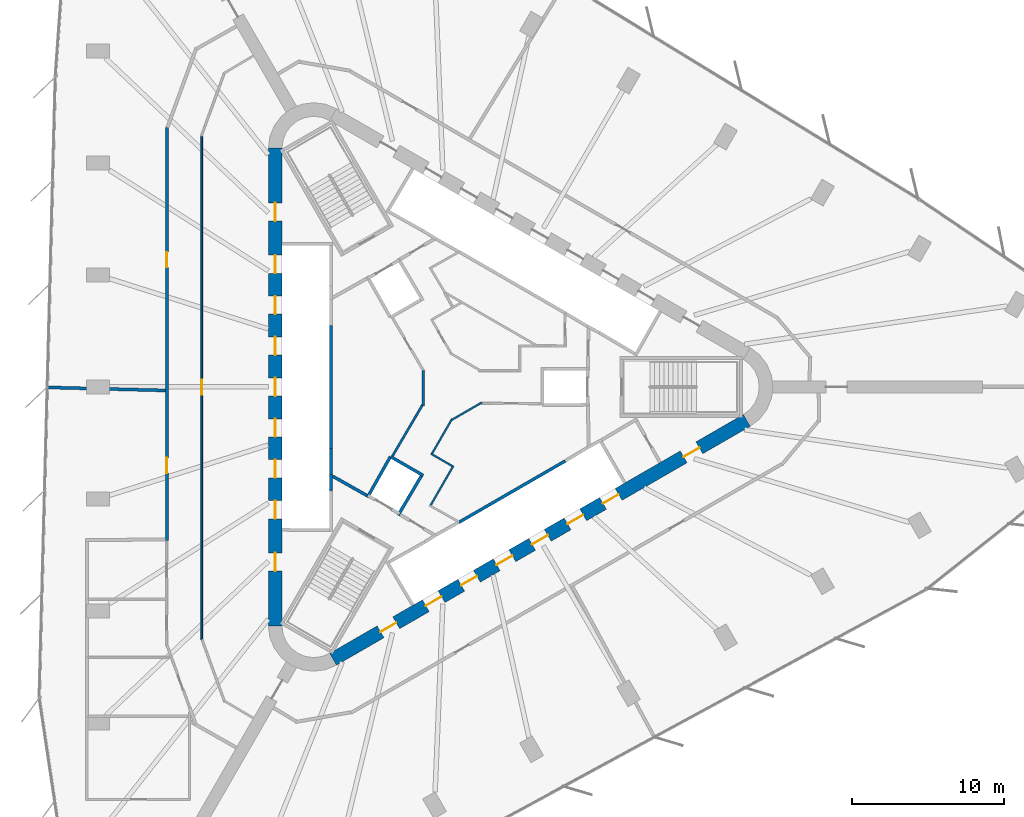
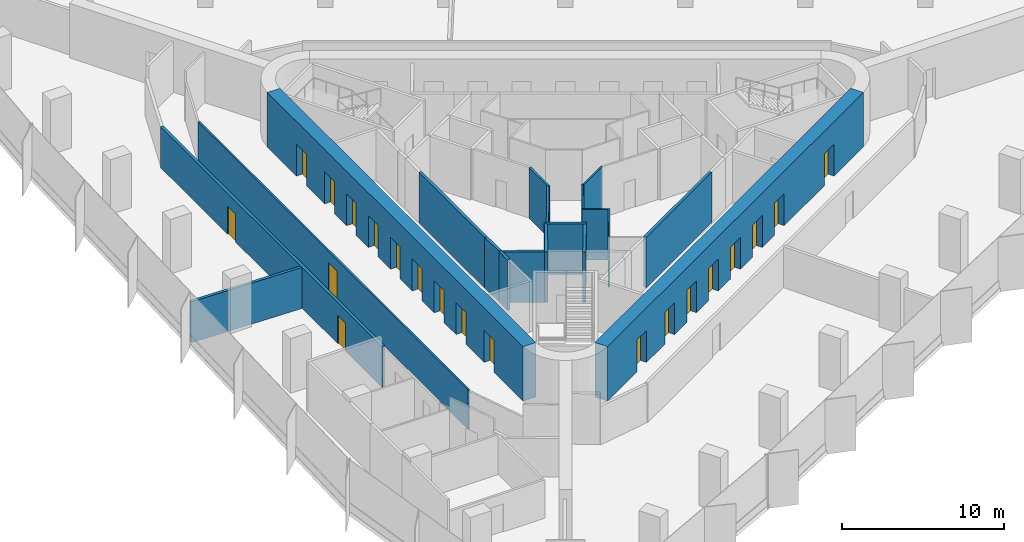
# One storey, part 9 of 13: 20 doors, 19 walls, 20 openings.
"""IFC4 building model written with IfcOpenShell, lengths in metres."""

from ifc_helpers import new_model, si_unit, direction, frame, frame_2d, origin, place, context, subcontext, project, spatial, rectangle, extrude, material, layer, layer_set, type_object, element, fill, save


model = new_model("IFC4")

# Units and contexts
model_context = context("Model", 3, precision=1e-05, world=origin(), true_north=direction((0.0, 1.0)))
body_context = subcontext(model_context, "Body", "Model", "MODEL_VIEW")
ifc_project = project(units=[si_unit("LENGTHUNIT", "METRE"), si_unit("AREAUNIT", "SQUARE_METRE"), si_unit("VOLUMEUNIT", "CUBIC_METRE"), si_unit("PLANEANGLEUNIT", "RADIAN"), si_unit("MASSUNIT", "GRAM", prefix="KILO")], contexts=[model_context])

# Site, building, storey
site_placement = place(None, origin())
site = spatial("IfcSite", under=ifc_project, at=site_placement, CompositionType="ELEMENT")
building_placement = place(site_placement, origin())
building = spatial("IfcBuilding", under=site, at=building_placement, Name="Tanit Gate Tower", CompositionType="ELEMENT")
storey_placement = place(building_placement, frame((0.0, 0.0, 61.89990234375)))
storey = spatial("IfcBuildingStorey", under=building, at=storey_placement, Name="L11", CompositionType="ELEMENT", Elevation=61.89990234375)

# Wall, openings, doors
ifc_material_1 = material(Name="Concrete C60/75", Category="concrete")
ifc_layer_1 = layer(ifc_material_1, 0.89990234375)
ifc_layer_set_1 = layer_set([ifc_layer_1], Name="CORE WALL 900 C60/75")
wall_type_1 = type_object("IfcWallType", Name="CORE WALL 900 C60/75", PredefinedType="SHEAR", material=ifc_layer_set_1)
wall_1_placement = place(storey_placement, frame((-11.64990234375, 15.76171875, 0.0), z_axis=(0.0, 0.0, 1.0), x_axis=(0.0, -1.0, 0.0)))
wall_1 = element("IfcWall", 1, at=wall_1_placement, inside=storey, type_object=wall_type_1, Name="CORE WALL", PredefinedType="SHEAR", context=body_context, shape_type="SweptSolid", body=[
    extrude(rectangle(XDim=31.5234375, YDim=0.89990234375, at=frame_2d((15.76171875, 0.0))), origin(), (0.0, 0.0, 1.0), 4.10009765625),
])
opening_1_placement = place(wall_1_placement, frame((7.061767578125, 0.0, 0.0)))
opening_1 = element("IfcOpeningElement", 2, at=opening_1_placement, cuts=wall_1, Name="Opening LDLL1-S01", PredefinedType="OPENING", context=body_context, shape_type="SweptSolid", body=[
    extrude(rectangle(XDim=1.199951171875, YDim=2.39990234375, at=frame_2d((0.60009765625, 1.199951171875))), frame((0.0, 0.4599609375, 0.0), z_axis=(0.0, -1.0, 0.0), x_axis=(1.0, 0.0, 0.0)), (0.0, 0.0, 1.0), 0.919921875),
])
opening_2_placement = place(wall_1_placement, frame((9.76171875, 0.0, 0.0)))
opening_2 = element("IfcOpeningElement", 3, at=opening_2_placement, cuts=wall_1, Name="Opening LDLL2-S01", PredefinedType="OPENING", context=body_context, shape_type="SweptSolid", body=[
    extrude(rectangle(XDim=1.199951171875, YDim=2.39990234375, at=frame_2d((0.60009765625, 1.199951171875))), frame((0.0, 0.4599609375, 0.0), z_axis=(0.0, -1.0, 0.0), x_axis=(1.0, 0.0, 0.0)), (0.0, 0.0, 1.0), 0.919921875),
])
opening_3_placement = place(wall_1_placement, frame((12.461669921875, 0.0, 0.0)))
opening_3 = element("IfcOpeningElement", 4, at=opening_3_placement, cuts=wall_1, Name="Opening LDLL3-S01", PredefinedType="OPENING", context=body_context, shape_type="SweptSolid", body=[
    extrude(rectangle(XDim=1.199951171875, YDim=2.39990234375, at=frame_2d((0.60009765625, 1.199951171875))), frame((0.0, 0.4599609375, 0.0), z_axis=(0.0, -1.0, 0.0), x_axis=(1.0, 0.0, 0.0)), (0.0, 0.0, 1.0), 0.919921875),
])
opening_4_placement = place(wall_1_placement, frame((15.16162109375, 0.0, 0.0)))
opening_4 = element("IfcOpeningElement", 5, at=opening_4_placement, cuts=wall_1, Name="Opening LDLL4-S01", PredefinedType="OPENING", context=body_context, shape_type="SweptSolid", body=[
    extrude(rectangle(XDim=1.199951171875, YDim=2.39990234375, at=frame_2d((0.60009765625, 1.199951171875))), frame((0.0, 0.4599609375, 0.0), z_axis=(0.0, -1.0, 0.0), x_axis=(1.0, 0.0, 0.0)), (0.0, 0.0, 1.0), 0.919921875),
])
opening_5_placement = place(wall_1_placement, frame((17.86181640625, 0.0, 0.0)))
opening_5 = element("IfcOpeningElement", 6, at=opening_5_placement, cuts=wall_1, Name="Opening LDLL5-S01", PredefinedType="OPENING", context=body_context, shape_type="SweptSolid", body=[
    extrude(rectangle(XDim=1.199951171875, YDim=2.39990234375, at=frame_2d((0.60009765625, 1.199951171875))), frame((0.0, 0.4599609375, 0.0), z_axis=(0.0, -1.0, 0.0), x_axis=(1.0, 0.0, 0.0)), (0.0, 0.0, 1.0), 0.919921875),
])
opening_6_placement = place(wall_1_placement, frame((20.561767578125, 0.0, 0.0)))
opening_6 = element("IfcOpeningElement", 7, at=opening_6_placement, cuts=wall_1, Name="Opening LDLL6-S01", PredefinedType="OPENING", context=body_context, shape_type="SweptSolid", body=[
    extrude(rectangle(XDim=1.199951171875, YDim=2.39990234375, at=frame_2d((0.60009765625, 1.199951171875))), frame((0.0, 0.4599609375, 0.0), z_axis=(0.0, -1.0, 0.0), x_axis=(1.0, 0.0, 0.0)), (0.0, 0.0, 1.0), 0.919921875),
])
opening_7_placement = place(wall_1_placement, frame((23.26171875, 0.0, 0.0)))
opening_7 = element("IfcOpeningElement", 8, at=opening_7_placement, cuts=wall_1, Name="Opening LDLL7-S01", PredefinedType="OPENING", context=body_context, shape_type="SweptSolid", body=[
    extrude(rectangle(XDim=1.199951171875, YDim=2.39990234375, at=frame_2d((0.60009765625, 1.199951171875))), frame((0.0, 0.4599609375, 0.0), z_axis=(0.0, -1.0, 0.0), x_axis=(1.0, 0.0, 0.0)), (0.0, 0.0, 1.0), 0.919921875),
])
opening_8_placement = place(wall_1_placement, frame((3.61181640625, 0.0, 0.0)))
opening_8 = element("IfcOpeningElement", 9, at=opening_8_placement, cuts=wall_1, Name="Opening F12-S01-FL2", PredefinedType="OPENING", context=body_context, shape_type="SweptSolid", body=[
    extrude(rectangle(XDim=1.199951171875, YDim=2.39990234375, at=frame_2d((0.60009765625, 1.199951171875))), frame((0.0, 0.4599609375, 0.0), z_axis=(0.0, -1.0, 0.0), x_axis=(1.0, 0.0, 0.0)), (0.0, 0.0, 1.0), 0.919921875),
])
opening_9_placement = place(wall_1_placement, frame((26.711669921875, 0.0, 0.0)))
opening_9 = element("IfcOpeningElement", 10, at=opening_9_placement, cuts=wall_1, Name="Opening F12-S01-S3", PredefinedType="OPENING", context=body_context, shape_type="SweptSolid", body=[
    extrude(rectangle(XDim=1.199951171875, YDim=2.39990234375, at=frame_2d((0.60009765625, 1.199951171875))), frame((0.0, 0.4599609375, 0.0), z_axis=(0.0, -1.0, 0.0), x_axis=(1.0, 0.0, 0.0)), (0.0, 0.0, 1.0), 0.919921875),
])
ifc_material_2 = material(Name="Fire-rated steel door leaf", Category="steel")
door_type_1 = type_object("IfcDoorType", Name="INT-DOOR-FIRE-LOBBY-1200", OperationType="NOTDEFINED", PredefinedType="USERDEFINED", material=ifc_material_2)
door_1_placement = place(opening_8_placement, origin())
door_1 = element("IfcDoor", 11, at=door_1_placement, inside=storey, type_object=door_type_1, Name="Door F12-S01-FL2", ObjectType="FIRE DOOR", OperationType="SINGLE_SWING_LEFT", OverallHeight=2.39990234375, OverallWidth=1.199951171875, PredefinedType="USERDEFINED", context=body_context, shape_type="SweptSolid", body=[
    extrude(rectangle(XDim=1.199951171875, YDim=2.39990234375, at=frame_2d((0.60009765625, 1.199951171875))), frame((0.0, 0.02490234375, 0.0), z_axis=(0.0, -1.0, 0.0), x_axis=(1.0, 0.0, 0.0)), (0.0, 0.0, 1.0), 0.050048828125),
])
fill(opening_8, door_1)
door_2_placement = place(opening_9_placement, origin())
door_2 = element("IfcDoor", 12, at=door_2_placement, inside=storey, type_object=door_type_1, Name="Door F12-S01-S3", ObjectType="FIRE DOOR", OperationType="SINGLE_SWING_LEFT", OverallHeight=2.39990234375, OverallWidth=1.199951171875, PredefinedType="USERDEFINED", context=body_context, shape_type="SweptSolid", body=[
    extrude(rectangle(XDim=1.199951171875, YDim=2.39990234375, at=frame_2d((0.60009765625, 1.199951171875))), frame((0.0, 0.02490234375, 0.0), z_axis=(0.0, -1.0, 0.0), x_axis=(1.0, 0.0, 0.0)), (0.0, 0.0, 1.0), 0.050048828125),
])
fill(opening_9, door_2)
ifc_material_3 = material(Name="Stainless steel sliding door leaf", Category="steel")
door_type_2 = type_object("IfcDoorType", Name="INT-DOOR-LANDING-1200", OperationType="NOTDEFINED", PredefinedType="USERDEFINED", material=ifc_material_3)
door_3_placement = place(opening_1_placement, origin())
door_3 = element("IfcDoor", 13, at=door_3_placement, inside=storey, type_object=door_type_2, Name="Door LDLL1-S01", ObjectType="LANDING DOOR", OperationType="SLIDING_TO_LEFT", OverallHeight=2.39990234375, OverallWidth=1.199951171875, PredefinedType="USERDEFINED", context=body_context, shape_type="SweptSolid", body=[
    extrude(rectangle(XDim=1.199951171875, YDim=2.39990234375, at=frame_2d((0.60009765625, 1.199951171875))), frame((0.0, 0.02490234375, 0.0), z_axis=(0.0, -1.0, 0.0), x_axis=(1.0, 0.0, 0.0)), (0.0, 0.0, 1.0), 0.050048828125),
])
fill(opening_1, door_3)
door_4_placement = place(opening_2_placement, origin())
door_4 = element("IfcDoor", 14, at=door_4_placement, inside=storey, type_object=door_type_2, Name="Door LDLL2-S01", ObjectType="LANDING DOOR", OperationType="SLIDING_TO_LEFT", OverallHeight=2.39990234375, OverallWidth=1.199951171875, PredefinedType="USERDEFINED", context=body_context, shape_type="SweptSolid", body=[
    extrude(rectangle(XDim=1.199951171875, YDim=2.39990234375, at=frame_2d((0.60009765625, 1.199951171875))), frame((0.0, 0.02490234375, 0.0), z_axis=(0.0, -1.0, 0.0), x_axis=(1.0, 0.0, 0.0)), (0.0, 0.0, 1.0), 0.050048828125),
])
fill(opening_2, door_4)
door_5_placement = place(opening_3_placement, origin())
door_5 = element("IfcDoor", 15, at=door_5_placement, inside=storey, type_object=door_type_2, Name="Door LDLL3-S01", ObjectType="LANDING DOOR", OperationType="SLIDING_TO_LEFT", OverallHeight=2.39990234375, OverallWidth=1.199951171875, PredefinedType="USERDEFINED", context=body_context, shape_type="SweptSolid", body=[
    extrude(rectangle(XDim=1.199951171875, YDim=2.39990234375, at=frame_2d((0.60009765625, 1.199951171875))), frame((0.0, 0.02490234375, 0.0), z_axis=(0.0, -1.0, 0.0), x_axis=(1.0, 0.0, 0.0)), (0.0, 0.0, 1.0), 0.050048828125),
])
fill(opening_3, door_5)
door_6_placement = place(opening_4_placement, origin())
door_6 = element("IfcDoor", 16, at=door_6_placement, inside=storey, type_object=door_type_2, Name="Door LDLL4-S01", ObjectType="LANDING DOOR", OperationType="SLIDING_TO_LEFT", OverallHeight=2.39990234375, OverallWidth=1.199951171875, PredefinedType="USERDEFINED", context=body_context, shape_type="SweptSolid", body=[
    extrude(rectangle(XDim=1.199951171875, YDim=2.39990234375, at=frame_2d((0.60009765625, 1.199951171875))), frame((0.0, 0.02490234375, 0.0), z_axis=(0.0, -1.0, 0.0), x_axis=(1.0, 0.0, 0.0)), (0.0, 0.0, 1.0), 0.050048828125),
])
fill(opening_4, door_6)
door_7_placement = place(opening_5_placement, origin())
door_7 = element("IfcDoor", 17, at=door_7_placement, inside=storey, type_object=door_type_2, Name="Door LDLL5-S01", ObjectType="LANDING DOOR", OperationType="SLIDING_TO_LEFT", OverallHeight=2.39990234375, OverallWidth=1.199951171875, PredefinedType="USERDEFINED", context=body_context, shape_type="SweptSolid", body=[
    extrude(rectangle(XDim=1.199951171875, YDim=2.39990234375, at=frame_2d((0.60009765625, 1.199951171875))), frame((0.0, 0.02490234375, 0.0), z_axis=(0.0, -1.0, 0.0), x_axis=(1.0, 0.0, 0.0)), (0.0, 0.0, 1.0), 0.050048828125),
])
fill(opening_5, door_7)
door_8_placement = place(opening_6_placement, origin())
door_8 = element("IfcDoor", 18, at=door_8_placement, inside=storey, type_object=door_type_2, Name="Door LDLL6-S01", ObjectType="LANDING DOOR", OperationType="SLIDING_TO_LEFT", OverallHeight=2.39990234375, OverallWidth=1.199951171875, PredefinedType="USERDEFINED", context=body_context, shape_type="SweptSolid", body=[
    extrude(rectangle(XDim=1.199951171875, YDim=2.39990234375, at=frame_2d((0.60009765625, 1.199951171875))), frame((0.0, 0.02490234375, 0.0), z_axis=(0.0, -1.0, 0.0), x_axis=(1.0, 0.0, 0.0)), (0.0, 0.0, 1.0), 0.050048828125),
])
fill(opening_6, door_8)
door_9_placement = place(opening_7_placement, origin())
door_9 = element("IfcDoor", 19, at=door_9_placement, inside=storey, type_object=door_type_2, Name="Door LDLL7-S01", ObjectType="LANDING DOOR", OperationType="SLIDING_TO_LEFT", OverallHeight=2.39990234375, OverallWidth=1.199951171875, PredefinedType="USERDEFINED", context=body_context, shape_type="SweptSolid", body=[
    extrude(rectangle(XDim=1.199951171875, YDim=2.39990234375, at=frame_2d((0.60009765625, 1.199951171875))), frame((0.0, 0.02490234375, 0.0), z_axis=(0.0, -1.0, 0.0), x_axis=(1.0, 0.0, 0.0)), (0.0, 0.0, 1.0), 0.050048828125),
])
fill(opening_7, door_9)

wall_2_placement = place(storey_placement, frame((-7.824951171875, -17.969970703125, 0.0), z_axis=(0.0, 0.0, 1.0), x_axis=(0.866028369851, 0.499994862586, 0.0)))
wall_2 = element("IfcWall", 20, at=wall_2_placement, inside=storey, type_object=wall_type_1, Name="CORE WALL", PredefinedType="SHEAR", context=body_context, shape_type="SweptSolid", body=[
    extrude(rectangle(XDim=31.523193359375, YDim=0.89990234375, at=frame_2d((15.76171875, 0.0))), origin(), (0.0, 0.0, 1.0), 4.10009765625),
])
opening_10_placement = place(wall_2_placement, frame((7.061767578125, 0.0, 0.0)))
opening_10 = element("IfcOpeningElement", 21, at=opening_10_placement, cuts=wall_2, Name="Opening LDSX1-S01", PredefinedType="OPENING", context=body_context, shape_type="SweptSolid", body=[
    extrude(rectangle(XDim=1.199951171875, YDim=2.39990234375, at=frame_2d((0.60009765625, 1.199951171875))), frame((0.0, 0.4599609375, 0.0), z_axis=(0.0, -1.0, 0.0), x_axis=(1.0, 0.0, 0.0)), (0.0, 0.0, 1.0), 0.919921875),
])
opening_11_placement = place(wall_2_placement, frame((9.76171875, 0.0, 0.0)))
opening_11 = element("IfcOpeningElement", 22, at=opening_11_placement, cuts=wall_2, Name="Opening LDSX2-S01", PredefinedType="OPENING", context=body_context, shape_type="SweptSolid", body=[
    extrude(rectangle(XDim=1.199951171875, YDim=2.39990234375, at=frame_2d((0.60009765625, 1.199951171875))), frame((0.0, 0.4599609375, 0.0), z_axis=(0.0, -1.0, 0.0), x_axis=(1.0, 0.0, 0.0)), (0.0, 0.0, 1.0), 0.919921875),
])
opening_12_placement = place(wall_2_placement, frame((12.461669921875, 0.0, 0.0)))
opening_12 = element("IfcOpeningElement", 23, at=opening_12_placement, cuts=wall_2, Name="Opening LDSX3-S01", PredefinedType="OPENING", context=body_context, shape_type="SweptSolid", body=[
    extrude(rectangle(XDim=1.199951171875, YDim=2.39990234375, at=frame_2d((0.60009765625, 1.199951171875))), frame((0.0, 0.4599609375, 0.0), z_axis=(0.0, -1.0, 0.0), x_axis=(1.0, 0.0, 0.0)), (0.0, 0.0, 1.0), 0.919921875),
])
opening_13_placement = place(wall_2_placement, frame((15.16162109375, 0.0, 0.0)))
opening_13 = element("IfcOpeningElement", 24, at=opening_13_placement, cuts=wall_2, Name="Opening LDSX4-S01", PredefinedType="OPENING", context=body_context, shape_type="SweptSolid", body=[
    extrude(rectangle(XDim=1.199951171875, YDim=2.39990234375, at=frame_2d((0.60009765625, 1.199951171875))), frame((0.0, 0.4599609375, 0.0), z_axis=(0.0, -1.0, 0.0), x_axis=(1.0, 0.0, 0.0)), (0.0, 0.0, 1.0), 0.919921875),
])
opening_14_placement = place(wall_2_placement, frame((17.861572265625, 0.0, 0.0)))
opening_14 = element("IfcOpeningElement", 25, at=opening_14_placement, cuts=wall_2, Name="Opening LDSV1-S01", PredefinedType="OPENING", context=body_context, shape_type="SweptSolid", body=[
    extrude(rectangle(XDim=1.199951171875, YDim=2.39990234375, at=frame_2d((0.60009765625, 1.199951171875))), frame((0.0, 0.4599609375, 0.0), z_axis=(0.0, -1.0, 0.0), x_axis=(1.0, 0.0, 0.0)), (0.0, 0.0, 1.0), 0.919921875),
])
opening_15_placement = place(wall_2_placement, frame((20.561767578125, 0.0, 0.0)))
opening_15 = element("IfcOpeningElement", 26, at=opening_15_placement, cuts=wall_2, Name="Opening LDSV2-S01", PredefinedType="OPENING", context=body_context, shape_type="SweptSolid", body=[
    extrude(rectangle(XDim=1.199951171875, YDim=2.39990234375, at=frame_2d((0.60009765625, 1.199951171875))), frame((0.0, 0.4599609375, 0.0), z_axis=(0.0, -1.0, 0.0), x_axis=(1.0, 0.0, 0.0)), (0.0, 0.0, 1.0), 0.919921875),
])
opening_16_placement = place(wall_2_placement, frame((26.711669921875, 0.0, 0.0)))
opening_16 = element("IfcOpeningElement", 27, at=opening_16_placement, cuts=wall_2, Name="Opening F12-S01-S1", PredefinedType="OPENING", context=body_context, shape_type="SweptSolid", body=[
    extrude(rectangle(XDim=1.199951171875, YDim=2.39990234375, at=frame_2d((0.60009765625, 1.199951171875))), frame((0.0, 0.4599609375, 0.0), z_axis=(0.0, -1.0, 0.0), x_axis=(1.0, 0.0, 0.0)), (0.0, 0.0, 1.0), 0.919921875),
])
opening_17_placement = place(wall_2_placement, frame((3.611572265625, 0.0, 0.0)))
opening_17 = element("IfcOpeningElement", 28, at=opening_17_placement, cuts=wall_2, Name="Opening F12-S01-FL3", PredefinedType="OPENING", context=body_context, shape_type="SweptSolid", body=[
    extrude(rectangle(XDim=1.199951171875, YDim=2.39990234375, at=frame_2d((0.60009765625, 1.199951171875))), frame((0.0, 0.4599609375, 0.0), z_axis=(0.0, -1.0, 0.0), x_axis=(1.0, 0.0, 0.0)), (0.0, 0.0, 1.0), 0.919921875),
])
door_10_placement = place(opening_16_placement, origin())
door_10 = element("IfcDoor", 29, at=door_10_placement, inside=storey, type_object=door_type_1, Name="Door F12-S01-S1", ObjectType="FIRE DOOR", OperationType="SINGLE_SWING_LEFT", OverallHeight=2.39990234375, OverallWidth=1.199951171875, PredefinedType="USERDEFINED", context=body_context, shape_type="SweptSolid", body=[
    extrude(rectangle(XDim=1.199951171875, YDim=2.39990234375, at=frame_2d((0.60009765625, 1.199951171875))), frame((0.0, 0.02490234375, 0.0), z_axis=(0.0, -1.0, 0.0), x_axis=(1.0, 0.0, 0.0)), (0.0, 0.0, 1.0), 0.050048828125),
])
fill(opening_16, door_10)
door_11_placement = place(opening_17_placement, origin())
door_11 = element("IfcDoor", 30, at=door_11_placement, inside=storey, type_object=door_type_1, Name="Door F12-S01-FL3", ObjectType="FIRE DOOR", OperationType="SINGLE_SWING_RIGHT", OverallHeight=2.39990234375, OverallWidth=1.199951171875, PredefinedType="USERDEFINED", context=body_context, shape_type="SweptSolid", body=[
    extrude(rectangle(XDim=1.199951171875, YDim=2.39990234375, at=frame_2d((0.60009765625, 1.199951171875))), frame((0.0, 0.02490234375, 0.0), z_axis=(0.0, -1.0, 0.0), x_axis=(1.0, 0.0, 0.0)), (0.0, 0.0, 1.0), 0.050048828125),
])
fill(opening_17, door_11)
door_12_placement = place(opening_10_placement, origin())
door_12 = element("IfcDoor", 31, at=door_12_placement, inside=storey, type_object=door_type_2, Name="Door LDSX1-S01", ObjectType="LANDING DOOR", OperationType="SLIDING_TO_LEFT", OverallHeight=2.39990234375, OverallWidth=1.199951171875, PredefinedType="USERDEFINED", context=body_context, shape_type="SweptSolid", body=[
    extrude(rectangle(XDim=1.199951171875, YDim=2.39990234375, at=frame_2d((0.60009765625, 1.199951171875))), frame((0.0, 0.02490234375, 0.0), z_axis=(0.0, -1.0, 0.0), x_axis=(1.0, 0.0, 0.0)), (0.0, 0.0, 1.0), 0.050048828125),
])
fill(opening_10, door_12)
door_13_placement = place(opening_11_placement, origin())
door_13 = element("IfcDoor", 32, at=door_13_placement, inside=storey, type_object=door_type_2, Name="Door LDSX2-S01", ObjectType="LANDING DOOR", OperationType="SLIDING_TO_LEFT", OverallHeight=2.39990234375, OverallWidth=1.199951171875, PredefinedType="USERDEFINED", context=body_context, shape_type="SweptSolid", body=[
    extrude(rectangle(XDim=1.199951171875, YDim=2.39990234375, at=frame_2d((0.60009765625, 1.199951171875))), frame((0.0, 0.02490234375, 0.0), z_axis=(0.0, -1.0, 0.0), x_axis=(1.0, 0.0, 0.0)), (0.0, 0.0, 1.0), 0.050048828125),
])
fill(opening_11, door_13)
door_14_placement = place(opening_12_placement, origin())
door_14 = element("IfcDoor", 33, at=door_14_placement, inside=storey, type_object=door_type_2, Name="Door LDSX3-S01", ObjectType="LANDING DOOR", OperationType="SLIDING_TO_LEFT", OverallHeight=2.39990234375, OverallWidth=1.199951171875, PredefinedType="USERDEFINED", context=body_context, shape_type="SweptSolid", body=[
    extrude(rectangle(XDim=1.199951171875, YDim=2.39990234375, at=frame_2d((0.60009765625, 1.199951171875))), frame((0.0, 0.02490234375, 0.0), z_axis=(0.0, -1.0, 0.0), x_axis=(1.0, 0.0, 0.0)), (0.0, 0.0, 1.0), 0.050048828125),
])
fill(opening_12, door_14)
door_15_placement = place(opening_13_placement, origin())
door_15 = element("IfcDoor", 34, at=door_15_placement, inside=storey, type_object=door_type_2, Name="Door LDSX4-S01", ObjectType="LANDING DOOR", OperationType="SLIDING_TO_LEFT", OverallHeight=2.39990234375, OverallWidth=1.199951171875, PredefinedType="USERDEFINED", context=body_context, shape_type="SweptSolid", body=[
    extrude(rectangle(XDim=1.199951171875, YDim=2.39990234375, at=frame_2d((0.60009765625, 1.199951171875))), frame((0.0, 0.02490234375, 0.0), z_axis=(0.0, -1.0, 0.0), x_axis=(1.0, 0.0, 0.0)), (0.0, 0.0, 1.0), 0.050048828125),
])
fill(opening_13, door_15)
door_16_placement = place(opening_14_placement, origin())
door_16 = element("IfcDoor", 35, at=door_16_placement, inside=storey, type_object=door_type_2, Name="Door LDSV1-S01", ObjectType="LANDING DOOR", OperationType="SLIDING_TO_LEFT", OverallHeight=2.39990234375, OverallWidth=1.199951171875, PredefinedType="USERDEFINED", context=body_context, shape_type="SweptSolid", body=[
    extrude(rectangle(XDim=1.199951171875, YDim=2.39990234375, at=frame_2d((0.60009765625, 1.199951171875))), frame((0.0, 0.02490234375, 0.0), z_axis=(0.0, -1.0, 0.0), x_axis=(1.0, 0.0, 0.0)), (0.0, 0.0, 1.0), 0.050048828125),
])
fill(opening_14, door_16)
door_17_placement = place(opening_15_placement, origin())
door_17 = element("IfcDoor", 36, at=door_17_placement, inside=storey, type_object=door_type_2, Name="Door LDSV2-S01", ObjectType="LANDING DOOR", OperationType="SLIDING_TO_LEFT", OverallHeight=2.39990234375, OverallWidth=1.199951171875, PredefinedType="USERDEFINED", context=body_context, shape_type="SweptSolid", body=[
    extrude(rectangle(XDim=1.199951171875, YDim=2.39990234375, at=frame_2d((0.60009765625, 1.199951171875))), frame((0.0, 0.02490234375, 0.0), z_axis=(0.0, -1.0, 0.0), x_axis=(1.0, 0.0, 0.0)), (0.0, 0.0, 1.0), 0.050048828125),
])
fill(opening_15, door_17)

# Wall
ifc_material_4 = material(Name="Fire-rated gypsum board partition")
ifc_layer_2 = layer(ifc_material_4, 0.199951171875)
ifc_layer_set_2 = layer_set([ifc_layer_2], Name="INT-WALL-COMPARTMENT")
wall_type_2 = type_object("IfcWallType", Name="INT-WALL-COMPARTMENT", PredefinedType="PARTITIONING", material=ifc_layer_set_2)
wall_3_placement = place(storey_placement, frame((-7.84912109375, -5.893798828125, 0.0), z_axis=(0.0, 0.0, 1.0), x_axis=(0.871340486379, -0.490678873396, 0.0)))
element("IfcWall", 37, at=wall_3_placement, inside=storey, type_object=wall_type_2, Name="Wall Compartment W063", PredefinedType="PARTITIONING", context=body_context, shape_type="SweptSolid", body=[
    extrude(rectangle(XDim=2.580810546875, YDim=0.199951171875, at=frame_2d((1.29052734375, 0.0))), origin(), (0.0, 0.0, 1.0), 3.800048828125),
])

# Wall, openings, doors
wall_4_placement = place(storey_placement, frame((-18.800048828125, 17.122314453125, 0.0), z_axis=(0.0, 0.0, 1.0), x_axis=(0.0, -1.0, 0.0)))
wall_4 = element("IfcWall", 38, at=wall_4_placement, inside=storey, type_object=wall_type_2, Name="Wall Compartment W094", PredefinedType="PARTITIONING", context=body_context, shape_type="SweptSolid", body=[
    extrude(rectangle(XDim=27.252197265625, YDim=0.199951171875, at=frame_2d((13.6259765625, 0.0))), origin(), (0.0, 0.0, 1.0), 3.080078125),
])
opening_18_placement = place(wall_4_placement, frame((21.80419921875, 0.0, 0.0)))
opening_18 = element("IfcOpeningElement", 39, at=opening_18_placement, cuts=wall_4, Name="Opening F10-S01-20", PredefinedType="OPENING", context=body_context, shape_type="SweptSolid", body=[
    extrude(rectangle(XDim=1.0, YDim=2.10009765625, at=frame_2d((0.5, 1.050048828125))), frame((0.0, 0.10986328125, 0.0), z_axis=(0.0, -1.0, 0.0), x_axis=(1.0, 0.0, 0.0)), (0.0, 0.0, 1.0), 0.219970703125),
])
opening_19_placement = place(wall_4_placement, frame((8.22802734375, 0.0, 0.0)))
opening_19 = element("IfcOpeningElement", 40, at=opening_19_placement, cuts=wall_4, Name="Opening F10-S01-21", PredefinedType="OPENING", context=body_context, shape_type="SweptSolid", body=[
    extrude(rectangle(XDim=1.0, YDim=2.10009765625, at=frame_2d((0.5, 1.050048828125))), frame((0.0, 0.10986328125, 0.0), z_axis=(0.0, -1.0, 0.0), x_axis=(1.0, 0.0, 0.0)), (0.0, 0.0, 1.0), 0.219970703125),
])
ifc_material_5 = material(Name="Fire-rated steel door leaf", Category="steel")
door_type_3 = type_object("IfcDoorType", Name="INT-DOOR-FIRE-1000", OperationType="NOTDEFINED", PredefinedType="USERDEFINED", material=ifc_material_5)
door_18_placement = place(opening_18_placement, origin())
door_18 = element("IfcDoor", 41, at=door_18_placement, inside=storey, type_object=door_type_3, Name="Door F10-S01-20", ObjectType="FIRE DOOR", OperationType="SINGLE_SWING_RIGHT", OverallHeight=2.10009765625, OverallWidth=1.0, PredefinedType="USERDEFINED", context=body_context, shape_type="SweptSolid", body=[
    extrude(rectangle(XDim=1.0, YDim=2.10009765625, at=frame_2d((0.5, 1.050048828125))), frame((0.0, 0.02490234375, 0.0), z_axis=(0.0, -1.0, 0.0), x_axis=(1.0, 0.0, 0.0)), (0.0, 0.0, 1.0), 0.050048828125),
])
fill(opening_18, door_18)
door_19_placement = place(opening_19_placement, origin())
door_19 = element("IfcDoor", 42, at=door_19_placement, inside=storey, type_object=door_type_3, Name="Door F10-S01-21", ObjectType="FIRE DOOR", OperationType="SINGLE_SWING_LEFT", OverallHeight=2.10009765625, OverallWidth=1.0, PredefinedType="USERDEFINED", context=body_context, shape_type="SweptSolid", body=[
    extrude(rectangle(XDim=1.0, YDim=2.10009765625, at=frame_2d((0.5, 1.050048828125))), frame((0.0, 0.02490234375, 0.0), z_axis=(0.0, -1.0, 0.0), x_axis=(1.0, 0.0, 0.0)), (0.0, 0.0, 1.0), 0.050048828125),
])
fill(opening_19, door_19)

# Walls
wall_5_placement = place(storey_placement, frame((-26.684814453125, -0.029296875, 0.0), z_axis=(0.0, 0.0, 1.0), x_axis=(0.999664660835, -0.025895286789, 0.0)))
element("IfcWall", 43, at=wall_5_placement, inside=storey, type_object=wall_type_2, Name="Wall Compartment W113", PredefinedType="PARTITIONING", context=body_context, shape_type="SweptSolid", body=[
    extrude(rectangle(XDim=7.78759765625, YDim=0.199951171875, at=frame_2d((3.893798828125, 0.0))), origin(), (0.0, 0.0, 1.0), 3.080078125),
])
ifc_material_6 = material(Name="Gypsum board partition")
ifc_layer_3 = layer(ifc_material_6, 0.1201171875)
ifc_layer_set_3 = layer_set([ifc_layer_3], Name="INT-WALL-PARTITION")
wall_type_3 = type_object("IfcWallType", Name="INT-WALL-PARTITION", PredefinedType="PARTITIONING", material=ifc_layer_set_3)
wall_6_placement = place(storey_placement, frame((0.1181640625, -5.195068359375, 0.0), z_axis=(0.0, 0.0, 1.0), x_axis=(-0.499990139034, -0.866031096941, 0.0)))
element("IfcWall", 44, at=wall_6_placement, inside=storey, type_object=wall_type_3, Name="Wall Partition W069", PredefinedType="PARTITIONING", context=body_context, shape_type="SweptSolid", body=[
    extrude(rectangle(XDim=3.0, YDim=0.1201171875, at=frame_2d((1.5, 0.0))), origin(), (0.0, 0.0, 1.0), 3.800048828125),
])
wall_7_placement = place(storey_placement, frame((-1.37109375, -4.404541015625, 0.0), z_axis=(0.0, 0.0, 1.0), x_axis=(0.866053003207, -0.499952193351, 0.0)))
element("IfcWall", 45, at=wall_7_placement, inside=storey, type_object=wall_type_3, Name="Wall Partition W070", PredefinedType="PARTITIONING", context=body_context, shape_type="SweptSolid", body=[
    extrude(rectangle(XDim=1.625244140625, YDim=0.1201171875, at=frame_2d((0.8125, 0.0))), origin(), (0.0, 0.0, 1.0), 3.800048828125),
])
wall_8_placement = place(storey_placement, frame((0.0302734375, -2.097412109375, 0.0), z_axis=(0.0, 0.0, 1.0), x_axis=(-0.500000102728, -0.866025344474, 0.0)))
element("IfcWall", 46, at=wall_8_placement, inside=storey, type_object=wall_type_3, Name="Wall Partition W071", PredefinedType="PARTITIONING", context=body_context, shape_type="SweptSolid", body=[
    extrude(rectangle(XDim=2.638671875, YDim=0.1201171875, at=frame_2d((1.3193359375, 0.0))), origin(), (0.0, 0.0, 1.0), 3.800048828125),
])
wall_9_placement = place(storey_placement, frame((1.993896484375, -1.02392578125, 0.0), z_axis=(0.0, 0.0, 1.0), x_axis=(-0.866048237946, -0.499960447986, 0.0)))
element("IfcWall", 47, at=wall_9_placement, inside=storey, type_object=wall_type_3, Name="Wall Partition W072", PredefinedType="PARTITIONING", context=body_context, shape_type="SweptSolid", body=[
    extrude(rectangle(XDim=2.308837890625, YDim=0.1201171875, at=frame_2d((1.154296875, 0.0))), origin(), (0.0, 0.0, 1.0), 3.800048828125),
])

# Wall, opening, door
wall_10_placement = place(storey_placement, frame((-16.5, 16.556884765625, 0.0), z_axis=(0.0, 0.0, 1.0), x_axis=(0.0, -1.0, 0.0)))
wall_10 = element("IfcWall", 48, at=wall_10_placement, inside=storey, type_object=wall_type_3, Name="Wall Partition W088", PredefinedType="PARTITIONING", context=body_context, shape_type="SweptSolid", body=[
    extrude(rectangle(XDim=33.233642578125, YDim=0.1201171875, at=frame_2d((16.61669921875, 0.0))), origin(), (0.0, 0.0, 1.0), 2.97998046875),
])
opening_20_placement = place(wall_10_placement, frame((16.0869140625, 0.0, 0.0)))
opening_20 = element("IfcOpeningElement", 49, at=opening_20_placement, cuts=wall_10, Name="Opening D10-S01-15", PredefinedType="OPENING", context=body_context, shape_type="SweptSolid", body=[
    extrude(rectangle(XDim=1.0, YDim=2.10009765625, at=frame_2d((0.5, 1.050048828125))), frame((0.0, 0.070068359375, 0.0), z_axis=(0.0, -1.0, 0.0), x_axis=(1.0, 0.0, 0.0)), (0.0, 0.0, 1.0), 0.14013671875),
])
ifc_material_7 = material(Name="Timber door leaf", Category="wood")
door_type_4 = type_object("IfcDoorType", Name="INT-DOOR-SINGLE-1000", OperationType="NOTDEFINED", PredefinedType="NOTDEFINED", material=ifc_material_7)
door_20_placement = place(opening_20_placement, origin())
door_20 = element("IfcDoor", 50, at=door_20_placement, inside=storey, type_object=door_type_4, Name="Door D10-S01-15", OperationType="SINGLE_SWING_LEFT", OverallHeight=2.10009765625, OverallWidth=1.0, PredefinedType="NOTDEFINED", context=body_context, shape_type="SweptSolid", body=[
    extrude(rectangle(XDim=1.0, YDim=2.10009765625, at=frame_2d((0.5, 1.050048828125))), frame((0.0, 0.02490234375, 0.0), z_axis=(0.0, -1.0, 0.0), x_axis=(1.0, 0.0, 0.0)), (0.0, 0.0, 1.0), 0.050048828125),
])
fill(opening_20, door_20)

# Walls
ifc_material_8 = material(Name="Fire-rated gypsum board partition")
ifc_layer_4 = layer(ifc_material_8, 0.14990234375)
ifc_layer_set_4 = layer_set([ifc_layer_4], Name="INT-WALL-RISER")
wall_type_4 = type_object("IfcWallType", Name="INT-WALL-RISER", PredefinedType="PLUMBINGWALL", material=ifc_layer_set_4)
wall_11_placement = place(storey_placement, frame((-1.883544921875, -1.240234375, 0.0), z_axis=(0.0, 0.0, 1.0), x_axis=(0.0, 1.0, 0.0)))
element("IfcWall", 51, at=wall_11_placement, inside=storey, type_object=wall_type_4, Name="Wall Riser W066", PredefinedType="PLUMBINGWALL", context=body_context, shape_type="SweptSolid", body=[
    extrude(rectangle(XDim=2.3291015625, YDim=0.14990234375, at=frame_2d((1.16455078125, 0.0))), origin(), (0.0, 0.0, 1.0), 3.800048828125),
])
wall_12_placement = place(storey_placement, frame((-3.906005859375, -4.5576171875, 0.0), z_axis=(0.0, 0.0, 1.0), x_axis=(0.506254243073, 0.862384277089, 0.0)))
element("IfcWall", 52, at=wall_12_placement, inside=storey, type_object=wall_type_4, Name="Wall Riser W067", PredefinedType="PLUMBINGWALL", context=body_context, shape_type="SweptSolid", body=[
    extrude(rectangle(XDim=3.971435546875, YDim=0.14990234375, at=frame_2d((1.98583984375, 0.0))), origin(), (0.0, 0.0, 1.0), 3.800048828125),
])
ifc_material_9 = material(Name="Gypsum shaft wall system")
ifc_layer_5 = layer(ifc_material_9, 0.199951171875)
ifc_layer_set_5 = layer_set([ifc_layer_5], Name="INT-WALL-SHAFT")
wall_type_5 = type_object("IfcWallType", Name="INT-WALL-SHAFT", PredefinedType="PLUMBINGWALL", material=ifc_layer_set_5)
wall_13_placement = place(storey_placement, frame((-7.97998046875, 4.050048828125, 0.0), z_axis=(0.0, 0.0, 1.0), x_axis=(0.0, -1.0, 0.0)))
element("IfcWall", 53, at=wall_13_placement, inside=storey, type_object=wall_type_5, Name="Wall Shaft W006", PredefinedType="PLUMBINGWALL", context=body_context, shape_type="SweptSolid", body=[
    extrude(rectangle(XDim=8.10009765625, YDim=0.199951171875, at=frame_2d((4.050048828125, 0.0))), origin(), (0.0, 0.0, 1.0), 3.800048828125),
])
wall_14_placement = place(storey_placement, frame((-7.949951171875, -5.7724609375, 0.0), z_axis=(0.0, 0.0, 1.0), x_axis=(-0.030803413295, -0.999525462272, 0.0)))
element("IfcWall", 54, at=wall_14_placement, inside=storey, type_object=wall_type_5, Name="Wall Shaft W009", PredefinedType="PLUMBINGWALL", context=body_context, shape_type="SweptSolid", body=[
    extrude(rectangle(XDim=1.077880859375, YDim=0.199951171875, at=frame_2d((0.5390625, 0.0))), origin(), (0.0, 0.0, 1.0), 3.800048828125),
])
wall_15_placement = place(storey_placement, frame((-7.97998046875, -4.050048828125, 0.0), z_axis=(0.0, 0.0, 1.0), x_axis=(0.016809909365, -0.999858703491, 0.0)))
element("IfcWall", 55, at=wall_15_placement, inside=storey, type_object=wall_type_5, Name="Wall Shaft W010", PredefinedType="PLUMBINGWALL", context=body_context, shape_type="SweptSolid", body=[
    extrude(rectangle(XDim=1.844482421875, YDim=0.199951171875, at=frame_2d((0.92236328125, 0.0))), origin(), (0.0, 0.0, 1.0), 3.800048828125),
])
wall_16_placement = place(storey_placement, frame((0.482666015625, -8.935791015625, 0.0), z_axis=(0.0, 0.0, 1.0), x_axis=(0.866030989016, 0.499990325971, 0.0)))
element("IfcWall", 56, at=wall_16_placement, inside=storey, type_object=wall_type_5, Name="Wall Shaft W031", PredefinedType="PLUMBINGWALL", context=body_context, shape_type="SweptSolid", body=[
    extrude(rectangle(XDim=8.099853515625, YDim=0.199951171875, at=frame_2d((4.0498046875, 0.0))), origin(), (0.0, 0.0, 1.0), 3.800048828125),
])
wall_17_placement = place(storey_placement, frame((-5.5625, -7.29638671875, 0.0), z_axis=(0.0, 0.0, 1.0), x_axis=(0.491322718731, 0.870977603649, 0.0)))
element("IfcWall", 57, at=wall_17_placement, inside=storey, type_object=wall_type_5, Name="Wall Shaft W054", PredefinedType="PLUMBINGWALL", context=body_context, shape_type="SweptSolid", body=[
    extrude(rectangle(XDim=3.10009765625, YDim=0.199951171875, at=frame_2d((1.550048828125, 0.0))), origin(), (0.0, 0.0, 1.0), 3.800048828125),
])
wall_18_placement = place(storey_placement, frame((-4.021484375, -4.6064453125, 0.0), z_axis=(0.0, 0.0, 1.0), x_axis=(0.866016689309, -0.500015093611, 0.0)))
element("IfcWall", 58, at=wall_18_placement, inside=storey, type_object=wall_type_5, Name="Wall Shaft W055", PredefinedType="PLUMBINGWALL", context=body_context, shape_type="SweptSolid", body=[
    extrude(rectangle(XDim=2.4794921875, YDim=0.199951171875, at=frame_2d((1.23974609375, 0.0))), origin(), (0.0, 0.0, 1.0), 3.800048828125),
])
wall_19_placement = place(storey_placement, frame((-2.01171875, -5.88232421875, 0.0), z_axis=(0.0, 0.0, 1.0), x_axis=(-0.508619639323, -0.860991325447, 0.0)))
element("IfcWall", 59, at=wall_19_placement, inside=storey, type_object=wall_type_5, Name="Wall Shaft W056", PredefinedType="PLUMBINGWALL", context=body_context, shape_type="SweptSolid", body=[
    extrude(rectangle(XDim=3.0, YDim=0.199951171875, at=frame_2d((1.5, 0.0))), origin(), (0.0, 0.0, 1.0), 3.800048828125),
])

save(model, "model.ifc")
